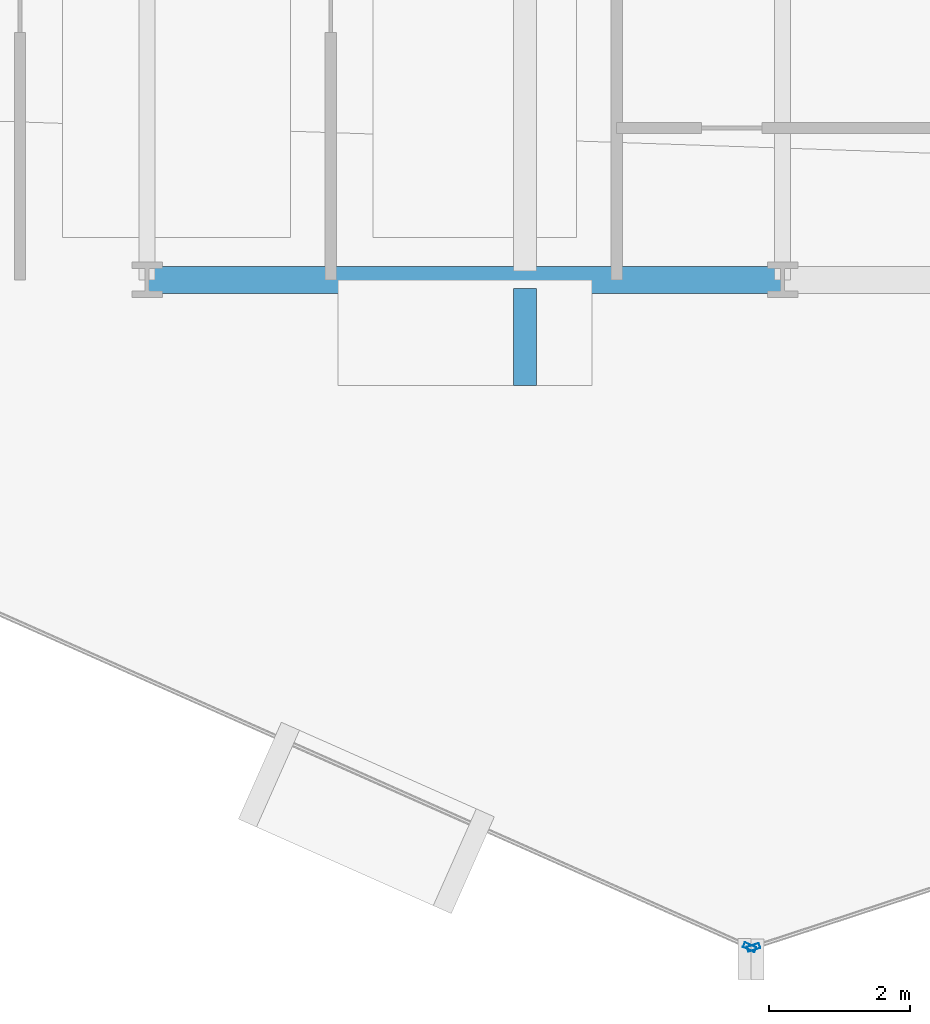
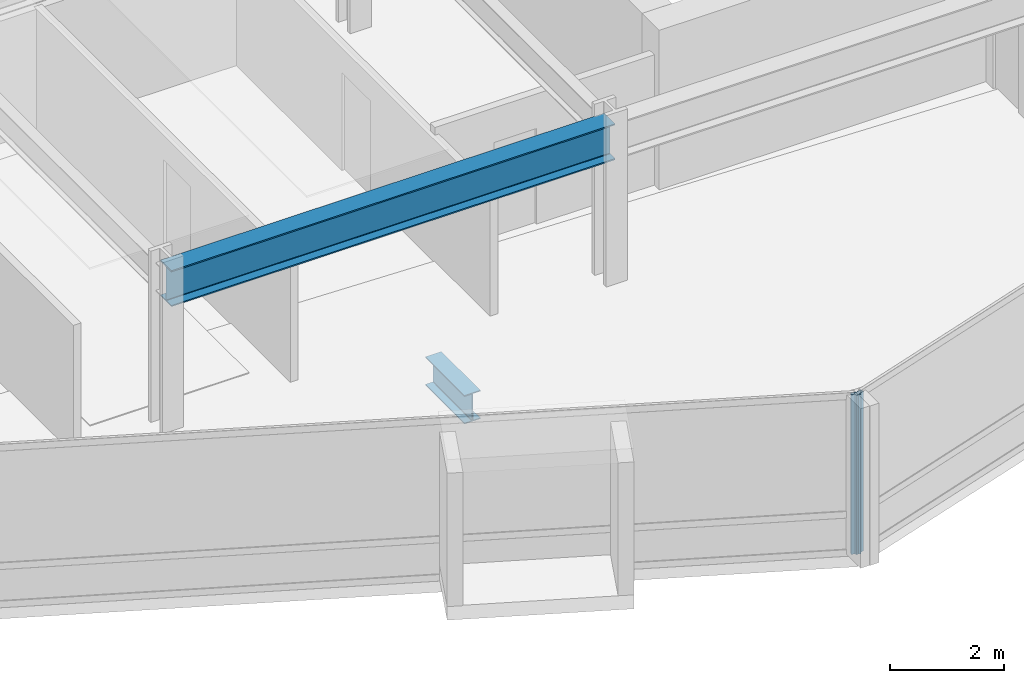
# One storey, part 4 of 34: 2 beams, 2 members, 2 elements without a shape of their own.
"""IFC4 building model written with IfcOpenShell, lengths in metres."""

import ifcopenshell
import ifcopenshell.guid

model = None  # the IFC model being written
_history = None  # IfcOwnerHistory: only IFC2X3 demands one
_inside = {}  # id of a spatial element -> (the spatial element, [elements in it])
_under = {}  # id of a project, library or spatial element -> (it, [spatial elements below it])
_declared = {}  # id of a project -> (the project, [libraries it declares])
_typed = {}  # id of a type object -> (the type object, [elements of that type])
_made_of = {}  # id of a material, layer set ... -> (it, [elements and type objects made of it])


def new_model(schema):
    """Start an empty IFC model of exactly this schema.

    Asked for "IFC4X3", IfcOpenShell would pick the latest addendum, in which some entities
    have other attributes; the version numbers below select the first issue.
    IFC2X3 requires an IfcOwnerHistory on every rooted entity: one is made here for all.
    """
    global model, _history
    if schema == "IFC4X3":
        model = ifcopenshell.file(schema_version=(4, 3, 0, 0))
    else:
        model = ifcopenshell.file(schema=schema)
    _inside.clear()
    _under.clear()
    _declared.clear()
    _typed.clear()
    _made_of.clear()
    _history = None
    if model.schema == "IFC2X3":
        org = make("IfcOrganization", Name="unknown")
        user = make(
            "IfcPersonAndOrganization",
            ThePerson=make("IfcPerson", FamilyName="unknown"),
            TheOrganization=org,
        )
        app = make(
            "IfcApplication",
            ApplicationDeveloper=org,
            Version="unknown",
            ApplicationFullName="unknown",
            ApplicationIdentifier="unknown",
        )
        _history = make(
            "IfcOwnerHistory",
            OwningUser=user,
            OwningApplication=app,
            ChangeAction="ADDED",
            CreationDate=0,
        )
    return model


def make(cls, **values):
    """One entity of the class cls with the attributes given. An attribute that is None is left unset."""
    return model.create_entity(
        cls, **{name: value for name, value in values.items() if value is not None}
    )


def rooted(cls, **values):
    """An entity with a GlobalId (a new one), such as an element, a storey or a relation."""
    return make(cls, GlobalId=ifcopenshell.guid.new(), OwnerHistory=_history, **values)


def si_unit(unit_type, name, prefix=None):
    """IfcSIUnit, for example si_unit("LENGTHUNIT", "METRE", prefix="MILLI")."""
    return make("IfcSIUnit", UnitType=unit_type, Prefix=prefix, Name=name)


def assignment(units):
    """IfcUnitAssignment: the units of a project."""
    return None if units is None else make("IfcUnitAssignment", Units=units)


def point(xyz):
    """IfcCartesianPoint."""
    return None if xyz is None else make("IfcCartesianPoint", Coordinates=xyz)


def direction(xyz):
    """IfcDirection."""
    return None if xyz is None else make("IfcDirection", DirectionRatios=xyz)


def frame(location, z_axis=None, x_axis=None):
    """IfcAxis2Placement3D, a coordinate frame: its origin and axes. An axis left out is left unset."""
    return make(
        "IfcAxis2Placement3D",
        Location=point(location),
        Axis=direction(z_axis),
        RefDirection=direction(x_axis),
    )


def frame_2d(location, x_axis=None):
    """IfcAxis2Placement2D, a coordinate frame in the plane: its origin and x axis."""
    return make(
        "IfcAxis2Placement2D", Location=point(location), RefDirection=direction(x_axis)
    )


def origin():
    """The frame at (0, 0, 0) with its axes left unset."""
    return frame((0.0, 0.0, 0.0))


def origin_2d():
    """The frame at (0, 0) in the plane with its x axis left unset."""
    return frame_2d((0.0, 0.0))


def place(relative_to, where):
    """IfcLocalPlacement: puts the frame where relative to a parent placement (None: the world)."""
    return make(
        "IfcLocalPlacement", PlacementRelTo=relative_to, RelativePlacement=where
    )


def context(
    kind, dimensions, precision=None, world=None, true_north=None, identifier=None
):
    """IfcGeometricRepresentationContext, for example the 3D "Model" context."""
    return make(
        "IfcGeometricRepresentationContext",
        ContextIdentifier=identifier,
        ContextType=kind,
        CoordinateSpaceDimension=dimensions,
        Precision=precision,
        WorldCoordinateSystem=world,
        TrueNorth=true_north,
    )


def subcontext(parent, identifier, kind, view, scale=None):
    """IfcGeometricRepresentationSubContext, for example "Body" below "Model"."""
    return make(
        "IfcGeometricRepresentationSubContext",
        ContextIdentifier=identifier,
        ContextType=kind,
        ParentContext=parent,
        TargetScale=scale,
        TargetView=view,
    )


def project(units=None, contexts=None):
    """IfcProject with its units and contexts."""
    return rooted(
        "IfcProject",
        Name="project",
        RepresentationContexts=contexts,
        UnitsInContext=assignment(units),
    )


def spatial(cls, under=None, at=None, **own):
    """A site, building, storey or space (cls), placed at a placement, below another one or the project."""
    s = rooted(cls, ObjectPlacement=at, **own)
    if under is not None:
        _under.setdefault(under.id(), (under, []))[1].append(s)
    return s


def profile(cls, at=None, kind="AREA", **sizes):
    """A parametric profile (cls). Its sizes go by their IFC names, for example OverallWidth=200.0."""
    return make(cls, ProfileType=kind, Position=at, **sizes)


def hollow_rectangle(**sizes):
    """IfcRectangleHollowProfileDef."""
    return profile("IfcRectangleHollowProfileDef", **sizes)


def i_section(**sizes):
    """IfcIShapeProfileDef."""
    return profile("IfcIShapeProfileDef", **sizes)


def extrude(swept, where, along, depth):
    """IfcExtrudedAreaSolid: the profile swept, set in the frame where, extruded along a direction by depth."""
    return make(
        "IfcExtrudedAreaSolid",
        SweptArea=swept,
        Position=where,
        ExtrudedDirection=direction(along),
        Depth=depth,
    )


def shape(context_of_items, identifier, shape_type, items):
    """IfcShapeRepresentation: the items that make up one representation, for example the "Body"."""
    return make(
        "IfcShapeRepresentation",
        ContextOfItems=context_of_items,
        RepresentationIdentifier=identifier,
        RepresentationType=shape_type,
        Items=items,
    )


def material(Name=None, Category=None):
    """IfcMaterial."""
    return make("IfcMaterial", Name=Name, Category=Category)


def layer(
    of_material, thickness, ventilated=None, Name=None, Category=None, Priority=None
):
    """IfcMaterialLayer: one layer of a wall or slab, of a material (None: an air gap)."""
    return make(
        "IfcMaterialLayer",
        Material=of_material,
        LayerThickness=thickness,
        IsVentilated=ventilated,
        Name=Name,
        Category=Category,
        Priority=Priority,
    )


def layer_set(layers, Name=None):
    """IfcMaterialLayerSet."""
    return make("IfcMaterialLayerSet", MaterialLayers=layers, LayerSetName=Name)


def material_profile(
    of_material, cross_section, Name=None, Category=None, Priority=None
):
    """IfcMaterialProfile: a cross section and its material."""
    return make(
        "IfcMaterialProfile",
        Name=Name,
        Material=of_material,
        Profile=cross_section,
        Priority=Priority,
        Category=Category,
    )


def profile_set(profiles, Name=None, composite=None):
    """IfcMaterialProfileSet."""
    return make(
        "IfcMaterialProfileSet",
        Name=Name,
        MaterialProfiles=profiles,
        CompositeProfile=composite,
    )


def made_of(thing, what):
    """Note that an element or type object is made of a material, layer set ...; save() writes the relation."""
    if what is not None:
        _made_of.setdefault(what.id(), (what, []))[1].append(thing)
    return thing


def type_object(cls, material=None, **own):
    """A type object (cls), such as IfcWallType, which elements share."""
    return made_of(rooted(cls, **own), material)


def element(
    cls,
    number,
    at=None,
    inside=None,
    cuts=None,
    type_object=None,
    material=None,
    context=None,
    identifier="Body",
    shape_type=None,
    held_by="IfcProductDefinitionShape",
    body=None,
    shapes=None,
    **own,
):
    """One element of the class cls, such as IfcWall. Its Tag is "e" and its number.

    at: its placement. inside: the storey or other place that contains it. cuts: it is an
    opening in that element (IfcRelVoidsElement). A single representation is given by context,
    identifier, shape_type and body (its items); several are given by shapes. held_by: the class
    of the entity that holds the representations. save() writes the other relations.
    """
    e = rooted(cls, Tag="e%d" % number, ObjectPlacement=at, **own)
    if body is not None:
        shapes = [shape(context, identifier, shape_type, body)]
    if shapes is not None:
        e.Representation = make(held_by, Representations=shapes)
    if inside is not None:
        _inside.setdefault(inside.id(), (inside, []))[1].append(e)
    if cuts is not None:
        rooted(
            "IfcRelVoidsElement", RelatingBuildingElement=cuts, RelatedOpeningElement=e
        )
    if type_object is not None:
        _typed.setdefault(type_object.id(), (type_object, []))[1].append(e)
    return made_of(e, material)


def aggregate(whole, parts):
    """IfcRelAggregates: a whole, such as a stair, and the parts it consists of."""
    return rooted("IfcRelAggregates", RelatingObject=whole, RelatedObjects=parts)


def save(model, path):
    """Write the relations noted so far, then the file.

    IfcRelAggregates (storeys below a building ...), IfcRelContainedInSpatialStructure (elements
    in a storey), IfcRelDefinesByType, IfcRelAssociatesMaterial and IfcRelDeclares: one each for
    every whole, place, type object, material and project.
    """
    for whole, parts in _under.values():
        aggregate(whole, parts)
    for where, things in _inside.values():
        rooted(
            "IfcRelContainedInSpatialStructure",
            RelatedElements=things,
            RelatingStructure=where,
        )
    for kind, things in _typed.values():
        rooted("IfcRelDefinesByType", RelatedObjects=things, RelatingType=kind)
    for what, things in _made_of.values():
        rooted("IfcRelAssociatesMaterial", RelatedObjects=things, RelatingMaterial=what)
    for by, libraries in _declared.values():
        rooted("IfcRelDeclares", RelatingContext=by, RelatedDefinitions=libraries)
    model.write(path)


model = new_model("IFC4")

# Units and contexts
model_context = context("Model", 3, precision=1e-05, world=origin(), true_north=direction((0.0, 1.0)))
body_context = subcontext(model_context, "Body", "Model", "MODEL_VIEW")
ifc_project = project(units=[si_unit("LENGTHUNIT", "METRE"), si_unit("AREAUNIT", "SQUARE_METRE"), si_unit("VOLUMEUNIT", "CUBIC_METRE"), si_unit("PLANEANGLEUNIT", "RADIAN"), si_unit("MASSUNIT", "GRAM", prefix="KILO")], contexts=[model_context])

# Site, building, storey
site_placement = place(None, origin())
site = spatial("IfcSite", under=ifc_project, at=site_placement, CompositionType="ELEMENT")
building_placement = place(site_placement, origin())
building = spatial("IfcBuilding", under=site, at=building_placement, Name="Solvaryn Broadcast Tower", CompositionType="ELEMENT")
storey_placement = place(building_placement, frame((0.0, 0.0, 47.10009765625)))
storey = spatial("IfcBuildingStorey", under=building, at=storey_placement, Name="L10", CompositionType="ELEMENT", Elevation=47.10009765625)

# Beams
ifc_material_1 = material(Name="Steel ASTM A992 Grade 50", Category="steel")
ifc_material_profile_1 = material_profile(ifc_material_1, i_section(OverallWidth=0.323974609375, OverallDepth=0.611083984375, WebThickness=0.0126953125, FlangeThickness=0.01904296875, FilletRadius=0.014892578125, at=origin_2d()))
ifc_profile_set_1 = profile_set([ifc_material_profile_1], Name="Steel ASTM A992 Grade 50")
beam_type_1 = type_object("IfcBeamType", Name="BM-CANT-TER", PredefinedType="BEAM", material=ifc_profile_set_1)
beam_1_placement = place(storey_placement, frame((23.35009765625, 8.875, -0.585693359375), z_axis=(0.0, -1.0, 0.0), x_axis=(1.0, 0.0, 0.0)))
element("IfcBeam", 1, at=beam_1_placement, inside=storey, type_object=beam_type_1, Name="L10 Bay-Box Cantilever Bracket 1", PredefinedType="BEAM", context=body_context, shape_type="SweptSolid", body=[
    extrude(i_section(OverallWidth=0.323974609375, OverallDepth=0.611083984375, WebThickness=0.0126953125, FlangeThickness=0.01904296875, FilletRadius=0.014892578125, at=origin_2d()), origin(), (0.0, 0.0, 1.0), 1.375),
])
ifc_material_2 = material(Name="Steel ASTM A992 Grade 50", Category="steel")
ifc_material_profile_2 = material_profile(ifc_material_2, i_section(OverallWidth=0.381103515625, OverallDepth=0.77294921875, WebThickness=0.0166015625, FlangeThickness=0.027099609375, FilletRadius=0.01806640625, at=origin_2d()))
ifc_profile_set_2 = profile_set([ifc_material_profile_2], Name="Steel ASTM A992 Grade 50")
beam_type_2 = type_object("IfcBeamType", Name="BM-SP1-W30X173", PredefinedType="USERDEFINED", material=ifc_profile_set_2)
beam_2_placement = place(storey_placement, frame((18.0, 9.0, 3.033447265625), z_axis=(1.0, 0.0, 0.0), x_axis=(0.0, 1.0, 0.0)))
element("IfcBeam", 2, at=beam_2_placement, inside=storey, type_object=beam_type_2, Name="L10 Spandrel Beam X (18-27 @ Y=9)", ObjectType="SPANDREL", PredefinedType="USERDEFINED", context=body_context, shape_type="SweptSolid", body=[
    extrude(i_section(OverallWidth=0.381103515625, OverallDepth=0.77294921875, WebThickness=0.0166015625, FlangeThickness=0.027099609375, FilletRadius=0.01806640625, at=origin_2d()), origin(), (0.0, 0.0, 1.0), 9.0),
])

# Curtain wall, member
ifc_material_3 = material(Name="Aluminium and Terracotta Unitised Curtain Wall", Category="masonry")
ifc_layer = layer(ifc_material_3, 0.199951171875)
ifc_layer_set = layer_set([ifc_layer], Name="CW-SYS2-LOWMID")
curtain_wall_type = type_object("IfcCurtainWallType", Name="CW-SYS2-LOWMID", PredefinedType="NOTDEFINED", material=ifc_layer_set)
curtain_wall_1_placement = place(storey_placement, origin())
curtain_wall_1 = element("IfcCurtainWall", 3, at=curtain_wall_1_placement, inside=storey, type_object=curtain_wall_type, Name="L10 Curtain Wall DR3", PredefinedType="NOTDEFINED")
ifc_material_4 = material(Name="Anodised Aluminium 6063-T6", Category="aluminium")
ifc_material_profile_3 = material_profile(ifc_material_4, hollow_rectangle(XDim=0.074951171875, YDim=0.179931640625, WallThickness=0.00390625, InnerFilletRadius=0.00390625, OuterFilletRadius=0.008056640625, at=origin_2d()))
ifc_profile_set_3 = profile_set([ifc_material_profile_3], Name="Anodised Aluminium 6063-T6")
member_type = type_object("IfcMemberType", Name="CW-MUL-180", PredefinedType="MULLION", material=ifc_profile_set_3)
member_1_placement = place(storey_placement, frame((26.532470703125, -0.451904296875, 0.0), z_axis=(0.0, 0.0, 1.0), x_axis=(0.405898286554, 0.913918257271, 0.0)))
member_1 = element("IfcMember", 4, at=member_1_placement, type_object=member_type, Name="CWS2 mullion 2", PredefinedType="MULLION", context=body_context, shape_type="SweptSolid", body=[
    extrude(hollow_rectangle(XDim=0.074951171875, YDim=0.179931640625, WallThickness=0.00390625, InnerFilletRadius=0.00390625, OuterFilletRadius=0.008056640625, at=origin_2d()), origin(), (0.0, 0.0, 1.0), 3.419921875),
])
aggregate(curtain_wall_1, [member_1])

curtain_wall_2_placement = place(storey_placement, origin())
curtain_wall_2 = element("IfcCurtainWall", 5, at=curtain_wall_2_placement, inside=storey, type_object=curtain_wall_type, Name="L10 Curtain Wall DR4", PredefinedType="NOTDEFINED")
member_2_placement = place(storey_placement, frame((26.588623046875, -0.45458984375, 0.0), z_axis=(0.0, 0.0, 1.0), x_axis=(-0.311594044587, 0.950215318429, 0.0)))
member_2 = element("IfcMember", 6, at=member_2_placement, type_object=member_type, Name="CWS2 mullion 1", PredefinedType="MULLION", context=body_context, shape_type="SweptSolid", body=[
    extrude(hollow_rectangle(XDim=0.074951171875, YDim=0.179931640625, WallThickness=0.00390625, InnerFilletRadius=0.00390625, OuterFilletRadius=0.008056640625, at=origin_2d()), origin(), (0.0, 0.0, 1.0), 3.419921875),
])
aggregate(curtain_wall_2, [member_2])

save(model, "model.ifc")
